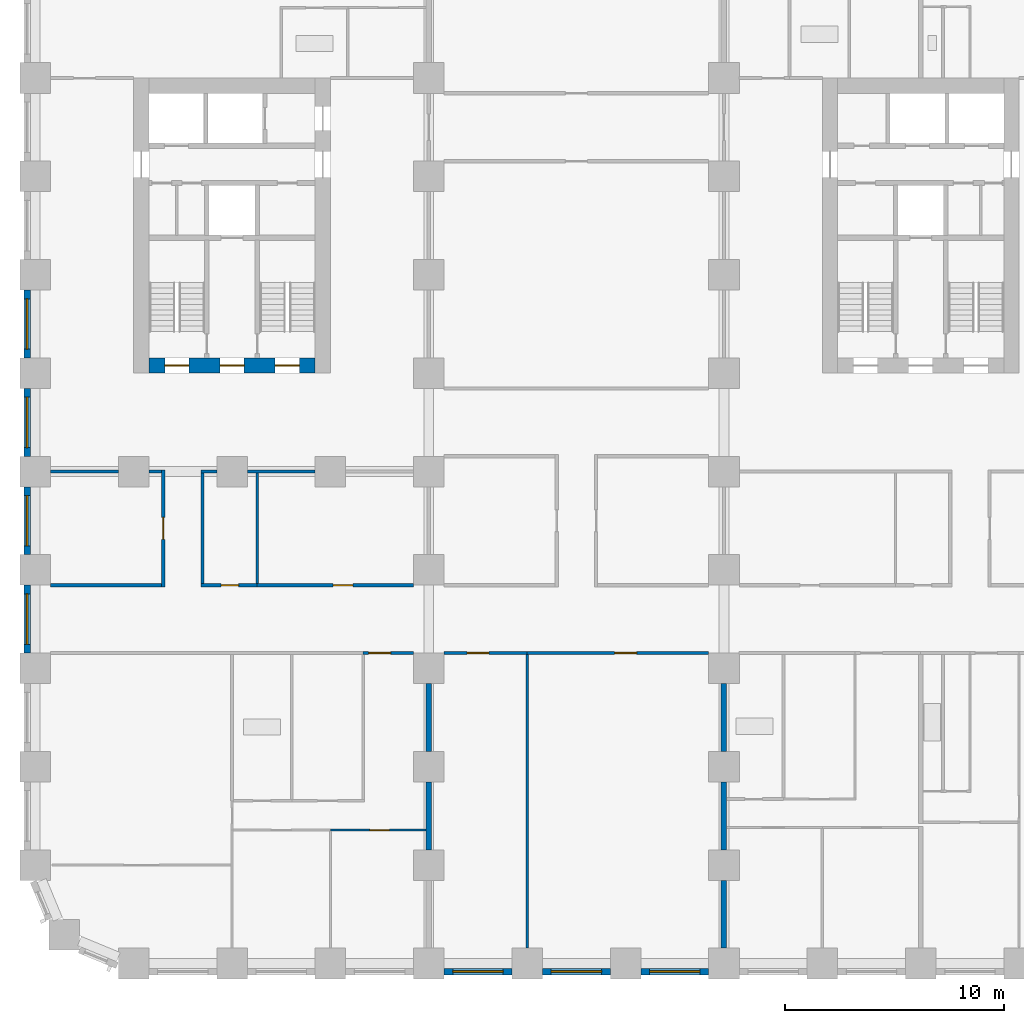
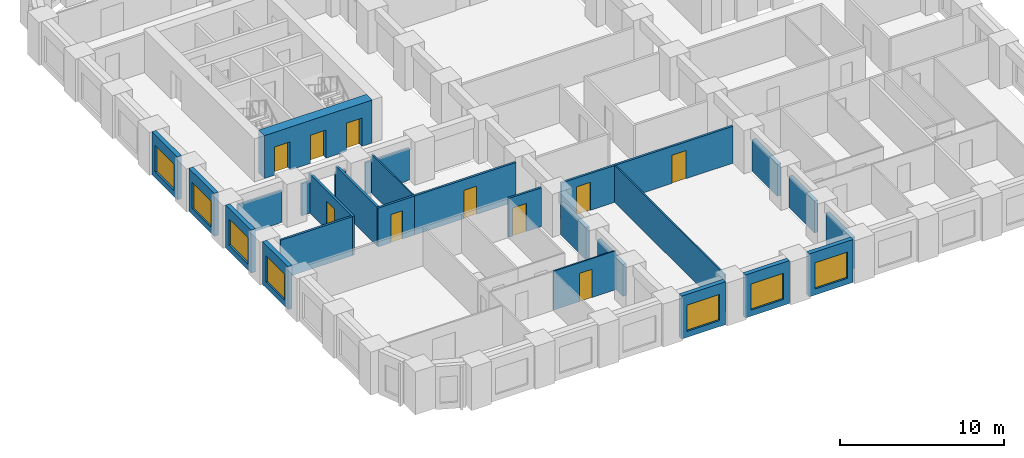
# One storey, part 3 of 12: 28 walls, 10 doors, 7 windows, 17 openings.
"""IFC4 building model written with IfcOpenShell, lengths in metres."""

from ifc_helpers import new_model, si_unit, direction, frame, frame_2d, origin, place, context, subcontext, project, spatial, rectangle, extrude, material, layer, layer_set, type_object, element, fill, save


model = new_model("IFC4")

# Units and contexts
model_context = context("Model", 3, precision=1e-05, world=origin(), true_north=direction((0.0, 1.0)))
body_context = subcontext(model_context, "Body", "Model", "MODEL_VIEW")
ifc_project = project(units=[si_unit("LENGTHUNIT", "METRE"), si_unit("AREAUNIT", "SQUARE_METRE"), si_unit("VOLUMEUNIT", "CUBIC_METRE"), si_unit("PLANEANGLEUNIT", "RADIAN"), si_unit("MASSUNIT", "GRAM", prefix="KILO")], contexts=[model_context])

# Site, building, storey
site_placement = place(None, origin())
site = spatial("IfcSite", under=ifc_project, at=site_placement, CompositionType="ELEMENT")
building_placement = place(site_placement, origin())
building = spatial("IfcBuilding", under=site, at=building_placement, Name="Girih Gate Residences", CompositionType="ELEMENT")
storey_placement = place(building_placement, frame((0.0, 0.0, 68.800048828125)))
storey = spatial("IfcBuildingStorey", under=building, at=storey_placement, Name="L18", CompositionType="ELEMENT", Elevation=68.800048828125)

# Walls
ifc_material_1 = material(Name="Gypsum board on steel studs", Category="steel")
ifc_layer_1 = layer(ifc_material_1, 0.25)
ifc_layer_set_1 = layer_set([ifc_layer_1], Name="Acoustic separating wall 250 mm")
wall_type_1 = type_object("IfcWallType", Name="Acoustic separating wall 250 mm", PredefinedType="PARTITIONING", material=ifc_layer_set_1)
for number, where, z_axis, x_axis, name in (
    (1, (18.0, 5.199951171875, 0.0), (0.0, 0.0, 1.0), (0.0, 1.0, 0.0), "L18 partition"),
    (2, (18.0, 9.699951171875, 0.0), (0.0, 0.0, 1.0), (0.0, 1.0, 0.0), "L18 partition"),
    (3, (31.5, 9.699951171875, 0.0), (0.0, 0.0, 1.0), (0.0, 1.0, 0.0), "L18 partition"),
    (4, (31.5, 0.699951171875, 0.0), (0.0, 0.0, 1.0), (0.0, 1.0, 0.0), "L18 partition"),
    (5, (31.5, 5.199951171875, 0.0), (0.0, 0.0, 1.0), (0.0, 1.0, 0.0), "L18 partition"),
):
    element("IfcWall", number, at=place(storey_placement, frame(where, z_axis=z_axis, x_axis=x_axis)), inside=storey, type_object=wall_type_1, Name=name, PredefinedType="PARTITIONING", context=body_context, shape_type="SweptSolid", body=[
        extrude(rectangle(XDim=3.10009765625, YDim=0.25, at=frame_2d((1.550048828125, 0.0))), origin(), (0.0, 0.0, 1.0), 2.3798828125),
    ])

# Wall, opening, door
ifc_layer_2 = layer(ifc_material_1, 0.14990234375)
ifc_layer_set_2 = layer_set([ifc_layer_2], Name="Compartment wall 150 mm")
wall_type_2 = type_object("IfcWallType", Name="Compartment wall 150 mm", PredefinedType="PARTITIONING", material=ifc_layer_set_2)
wall_1_placement = place(storey_placement, frame((17.300048828125, 14.199951171875, 0.0), z_axis=(0.0, 0.0, 1.0), x_axis=(-1.0, 0.0, 0.0)))
wall_1 = element("IfcWall", 6, at=wall_1_placement, inside=storey, type_object=wall_type_2, Name="L18 partition", PredefinedType="PARTITIONING", context=body_context, shape_type="SweptSolid", body=[
    extrude(rectangle(XDim=2.300048828125, YDim=0.14990234375, at=frame_2d((1.14990234375, 0.0))), origin(), (0.0, 0.0, 1.0), 2.89990234375),
])
opening_1_placement = place(wall_1_placement, frame((1.050048828125, 0.0, 0.0)))
opening_1 = element("IfcOpeningElement", 7, at=opening_1_placement, cuts=wall_1, Name="Opening A18-007", PredefinedType="OPENING", context=body_context, shape_type="SweptSolid", body=[
    extrude(rectangle(XDim=1.0, YDim=2.10009765625, at=frame_2d((0.5, 1.050048828125))), frame((0.0, 0.0849609375, 0.0), z_axis=(0.0, -1.0, 0.0), x_axis=(1.0, 0.0, 0.0)), (0.0, 0.0, 1.0), 0.169921875),
])
ifc_material_2 = material(Name="Timber, fire-rated core", Category="wood")
door_type_1 = type_object("IfcDoorType", Name="Flat entrance door 1000x2100 FD30S", OperationType="NOTDEFINED", PredefinedType="DOOR", material=ifc_material_2)
door_1_placement = place(opening_1_placement, origin())
door_1 = element("IfcDoor", 8, at=door_1_placement, inside=storey, type_object=door_type_1, Name="Door A18-007", OperationType="SINGLE_SWING_RIGHT", OverallHeight=2.10009765625, OverallWidth=1.0, PredefinedType="DOOR", context=body_context, shape_type="SweptSolid", body=[
    extrude(rectangle(XDim=1.0, YDim=2.10009765625, at=frame_2d((0.5, 1.050048828125))), frame((0.0, 0.02490234375, 0.0), z_axis=(0.0, -1.0, 0.0), x_axis=(1.0, 0.0, 0.0)), (0.0, 0.0, 1.0), 0.050048828125),
])
fill(opening_1, door_1)

wall_2_placement = place(storey_placement, frame((22.5, 14.199951171875, 0.0), z_axis=(0.0, 0.0, 1.0), x_axis=(-1.0, 0.0, 0.0)))
wall_2 = element("IfcWall", 9, at=wall_2_placement, inside=storey, type_object=wall_type_2, Name="L18 partition", PredefinedType="PARTITIONING", context=body_context, shape_type="SweptSolid", body=[
    extrude(rectangle(XDim=3.800048828125, YDim=0.14990234375, at=frame_2d((1.89990234375, 0.0))), origin(), (0.0, 0.0, 1.0), 2.75),
])
opening_2_placement = place(wall_2_placement, frame((1.75, 0.0, 0.0)))
opening_2 = element("IfcOpeningElement", 10, at=opening_2_placement, cuts=wall_2, Name="Opening A18-038", PredefinedType="OPENING", context=body_context, shape_type="SweptSolid", body=[
    extrude(rectangle(XDim=1.0, YDim=2.10009765625, at=frame_2d((0.5, 1.050048828125))), frame((0.0, 0.0849609375, 0.0), z_axis=(0.0, -1.0, 0.0), x_axis=(1.0, 0.0, 0.0)), (0.0, 0.0, 1.0), 0.169921875),
])
door_type_2 = type_object("IfcDoorType", Name="Amenity room door 1000x2100 FD30S", OperationType="NOTDEFINED", PredefinedType="DOOR", material=ifc_material_2)
door_2_placement = place(opening_2_placement, origin())
door_2 = element("IfcDoor", 11, at=door_2_placement, inside=storey, type_object=door_type_2, Name="Door A18-038", OperationType="SINGLE_SWING_RIGHT", OverallHeight=2.10009765625, OverallWidth=1.0, PredefinedType="DOOR", context=body_context, shape_type="SweptSolid", body=[
    extrude(rectangle(XDim=1.0, YDim=2.10009765625, at=frame_2d((0.5, 1.050048828125))), frame((0.0, 0.02490234375, 0.0), z_axis=(0.0, -1.0, 0.0), x_axis=(1.0, 0.0, 0.0)), (0.0, 0.0, 1.0), 0.050048828125),
])
fill(opening_2, door_2)

wall_3_placement = place(storey_placement, frame((30.800048828125, 14.199951171875, 0.0), z_axis=(0.0, 0.0, 1.0), x_axis=(-1.0, 0.0, 0.0)))
wall_3 = element("IfcWall", 12, at=wall_3_placement, inside=storey, type_object=wall_type_2, Name="L18 partition", PredefinedType="PARTITIONING", context=body_context, shape_type="SweptSolid", body=[
    extrude(rectangle(XDim=8.300048828125, YDim=0.14990234375, at=frame_2d((4.14990234375, 0.0))), origin(), (0.0, 0.0, 1.0), 2.75),
])
opening_3_placement = place(wall_3_placement, frame((3.300048828125, 0.0, 0.0)))
opening_3 = element("IfcOpeningElement", 13, at=opening_3_placement, cuts=wall_3, Name="Opening A18-039", PredefinedType="OPENING", context=body_context, shape_type="SweptSolid", body=[
    extrude(rectangle(XDim=1.0, YDim=2.10009765625, at=frame_2d((0.5, 1.050048828125))), frame((0.0, 0.0849609375, 0.0), z_axis=(0.0, -1.0, 0.0), x_axis=(1.0, 0.0, 0.0)), (0.0, 0.0, 1.0), 0.169921875),
])
door_3_placement = place(opening_3_placement, origin())
door_3 = element("IfcDoor", 14, at=door_3_placement, inside=storey, type_object=door_type_2, Name="Door A18-039", OperationType="SINGLE_SWING_LEFT", OverallHeight=2.10009765625, OverallWidth=1.0, PredefinedType="DOOR", context=body_context, shape_type="SweptSolid", body=[
    extrude(rectangle(XDim=1.0, YDim=2.10009765625, at=frame_2d((0.5, 1.050048828125))), frame((0.0, 0.02490234375, 0.0), z_axis=(0.0, -1.0, 0.0), x_axis=(1.0, 0.0, 0.0)), (0.0, 0.0, 1.0), 0.050048828125),
])
fill(opening_3, door_3)

wall_4_placement = place(storey_placement, frame((10.14990234375, 17.300048828125, 0.0), z_axis=(0.0, 0.0, 1.0), x_axis=(1.0, 0.0, 0.0)))
wall_4 = element("IfcWall", 15, at=wall_4_placement, inside=storey, type_object=wall_type_2, Name="L18 partition", PredefinedType="PARTITIONING", context=body_context, shape_type="SweptSolid", body=[
    extrude(rectangle(XDim=7.150146484375, YDim=0.14990234375, at=frame_2d((3.5751953125, 0.0))), origin(), (0.0, 0.0, 1.0), 2.89990234375),
])
opening_4_placement = place(wall_4_placement, frame((3.47509765625, 0.0, 0.0)))
opening_4 = element("IfcOpeningElement", 16, at=opening_4_placement, cuts=wall_4, Name="Opening A18-043", PredefinedType="OPENING", context=body_context, shape_type="SweptSolid", body=[
    extrude(rectangle(XDim=0.89990234375, YDim=2.10009765625, at=frame_2d((0.449951171875, 1.050048828125))), frame((0.0, 0.0849609375, 0.0), z_axis=(0.0, -1.0, 0.0), x_axis=(1.0, 0.0, 0.0)), (0.0, 0.0, 1.0), 0.169921875),
])
ifc_material_3 = material(Name="Timber", Category="wood")
door_type_3 = type_object("IfcDoorType", Name="Service room door 900x2100", OperationType="NOTDEFINED", PredefinedType="DOOR", material=ifc_material_3)
door_4_placement = place(opening_4_placement, origin())
door_4 = element("IfcDoor", 17, at=door_4_placement, inside=storey, type_object=door_type_3, Name="Door A18-043", OperationType="SINGLE_SWING_RIGHT", OverallHeight=2.10009765625, OverallWidth=0.89990234375, PredefinedType="DOOR", context=body_context, shape_type="SweptSolid", body=[
    extrude(rectangle(XDim=0.89990234375, YDim=2.10009765625, at=frame_2d((0.449951171875, 1.050048828125))), frame((0.0, 0.02490234375, 0.0), z_axis=(0.0, -1.0, 0.0), x_axis=(1.0, 0.0, 0.0)), (0.0, 0.0, 1.0), 0.050048828125),
])
fill(opening_4, door_4)

wall_5_placement = place(storey_placement, frame((7.574951171875, 17.300048828125, 0.0), z_axis=(0.0, 0.0, 1.0), x_axis=(1.0, 0.0, 0.0)))
wall_5 = element("IfcWall", 18, at=wall_5_placement, inside=storey, type_object=wall_type_2, Name="L18 partition", PredefinedType="PARTITIONING", context=body_context, shape_type="SweptSolid", body=[
    extrude(rectangle(XDim=2.574951171875, YDim=0.14990234375, at=frame_2d((1.28759765625, 0.0))), origin(), (0.0, 0.0, 1.0), 2.89990234375),
])
opening_5_placement = place(wall_5_placement, frame((0.925048828125, 0.0, 0.0)))
opening_5 = element("IfcOpeningElement", 19, at=opening_5_placement, cuts=wall_5, Name="Opening A18-045", PredefinedType="OPENING", context=body_context, shape_type="SweptSolid", body=[
    extrude(rectangle(XDim=0.800048828125, YDim=2.10009765625, at=frame_2d((0.39990234375, 1.050048828125))), frame((0.0, 0.0849609375, 0.0), z_axis=(0.0, -1.0, 0.0), x_axis=(1.0, 0.0, 0.0)), (0.0, 0.0, 1.0), 0.169921875),
])
door_type_4 = type_object("IfcDoorType", Name="Bathroom door 800x2100", OperationType="NOTDEFINED", PredefinedType="DOOR", material=ifc_material_3)
door_5_placement = place(opening_5_placement, origin())
door_5 = element("IfcDoor", 20, at=door_5_placement, inside=storey, type_object=door_type_4, Name="Door A18-045", OperationType="SINGLE_SWING_RIGHT", OverallHeight=2.10009765625, OverallWidth=0.800048828125, PredefinedType="DOOR", context=body_context, shape_type="SweptSolid", body=[
    extrude(rectangle(XDim=0.800048828125, YDim=2.10009765625, at=frame_2d((0.39990234375, 1.050048828125))), frame((0.0, 0.02490234375, 0.0), z_axis=(0.0, -1.0, 0.0), x_axis=(1.0, 0.0, 0.0)), (0.0, 0.0, 1.0), 0.050048828125),
])
fill(opening_5, door_5)

# Walls
wall_6_placement = place(storey_placement, frame((0.699951171875, 17.300048828125, 0.0), z_axis=(0.0, 0.0, 1.0), x_axis=(1.0, 0.0, 0.0)))
element("IfcWall", 21, at=wall_6_placement, inside=storey, type_object=wall_type_2, Name="L18 partition", PredefinedType="PARTITIONING", context=body_context, shape_type="SweptSolid", body=[
    extrude(rectangle(XDim=5.074951171875, YDim=0.14990234375, at=frame_2d((2.53759765625, 0.0))), origin(), (0.0, 0.0, 1.0), 2.89990234375),
])
wall_7_placement = place(storey_placement, frame((9.699951171875, 22.5, 0.0), z_axis=(0.0, 0.0, 1.0), x_axis=(1.0, 0.0, 0.0)))
element("IfcWall", 22, at=wall_7_placement, inside=storey, type_object=wall_type_2, Name="L18 partition", PredefinedType="PARTITIONING", context=body_context, shape_type="SweptSolid", body=[
    extrude(rectangle(XDim=3.10009765625, YDim=0.14990234375, at=frame_2d((1.550048828125, 0.0))), origin(), (0.0, 0.0, 1.0), 2.3798828125),
])
wall_8_placement = place(storey_placement, frame((7.574951171875, 22.5, 0.0), z_axis=(0.0, 0.0, 1.0), x_axis=(1.0, 0.0, 0.0)))
element("IfcWall", 23, at=wall_8_placement, inside=storey, type_object=wall_type_2, Name="L18 partition", PredefinedType="PARTITIONING", context=body_context, shape_type="SweptSolid", body=[
    extrude(rectangle(XDim=0.72509765625, YDim=0.14990234375, at=frame_2d((0.362548828125, 0.0))), origin(), (0.0, 0.0, 1.0), 2.3798828125),
])
wall_9_placement = place(storey_placement, frame((5.199951171875, 22.5, 0.0), z_axis=(0.0, 0.0, 1.0), x_axis=(1.0, 0.0, 0.0)))
element("IfcWall", 24, at=wall_9_placement, inside=storey, type_object=wall_type_2, Name="L18 partition", PredefinedType="PARTITIONING", context=body_context, shape_type="SweptSolid", body=[
    extrude(rectangle(XDim=0.574951171875, YDim=0.14990234375, at=frame_2d((0.28759765625, 0.0))), origin(), (0.0, 0.0, 1.0), 2.3798828125),
])
wall_10_placement = place(storey_placement, frame((0.699951171875, 22.5, 0.0), z_axis=(0.0, 0.0, 1.0), x_axis=(1.0, 0.0, 0.0)))
element("IfcWall", 25, at=wall_10_placement, inside=storey, type_object=wall_type_2, Name="L18 partition", PredefinedType="PARTITIONING", context=body_context, shape_type="SweptSolid", body=[
    extrude(rectangle(XDim=3.10009765625, YDim=0.14990234375, at=frame_2d((1.550048828125, 0.0))), origin(), (0.0, 0.0, 1.0), 2.3798828125),
])
wall_11_placement = place(storey_placement, frame((7.64990234375, 17.375, 0.0), z_axis=(0.0, 0.0, 1.0), x_axis=(0.0, 1.0, 0.0)))
element("IfcWall", 26, at=wall_11_placement, inside=storey, type_object=wall_type_2, Name="L18 partition", PredefinedType="PARTITIONING", context=body_context, shape_type="SweptSolid", body=[
    extrude(rectangle(XDim=5.050048828125, YDim=0.14990234375, at=frame_2d((2.52490234375, 0.0))), origin(), (0.0, 0.0, 1.0), 2.89990234375),
])

# Wall, opening, door
wall_12_placement = place(storey_placement, frame((5.85009765625, 17.22509765625, 0.0), z_axis=(0.0, 0.0, 1.0), x_axis=(0.0, 1.0, 0.0)))
wall_12 = element("IfcWall", 27, at=wall_12_placement, inside=storey, type_object=wall_type_2, Name="L18 partition", PredefinedType="PARTITIONING", context=body_context, shape_type="SweptSolid", body=[
    extrude(rectangle(XDim=5.349853515625, YDim=0.14990234375, at=frame_2d((2.6748046875, 0.0))), origin(), (0.0, 0.0, 1.0), 2.89990234375),
])
opening_6_placement = place(wall_12_placement, frame((2.175048828125, 0.0, 0.0)))
opening_6 = element("IfcOpeningElement", 28, at=opening_6_placement, cuts=wall_12, Name="Opening A18-047", PredefinedType="OPENING", context=body_context, shape_type="SweptSolid", body=[
    extrude(rectangle(XDim=1.0, YDim=2.10009765625, at=frame_2d((0.5, 1.050048828125))), frame((0.0, 0.0849609375, 0.0), z_axis=(0.0, -1.0, 0.0), x_axis=(1.0, 0.0, 0.0)), (0.0, 0.0, 1.0), 0.169921875),
])
door_6_placement = place(opening_6_placement, origin())
door_6 = element("IfcDoor", 29, at=door_6_placement, inside=storey, type_object=door_type_2, Name="Door A18-047", OperationType="SINGLE_SWING_LEFT", OverallHeight=2.10009765625, OverallWidth=1.0, PredefinedType="DOOR", context=body_context, shape_type="SweptSolid", body=[
    extrude(rectangle(XDim=1.0, YDim=2.10009765625, at=frame_2d((0.5, 1.050048828125))), frame((0.0, 0.02490234375, 0.0), z_axis=(0.0, -1.0, 0.0), x_axis=(1.0, 0.0, 0.0)), (0.0, 0.0, 1.0), 0.050048828125),
])
fill(opening_6, door_6)

# Wall, openings, doors
ifc_material_4 = material(Name="Concrete C60/75", Category="concrete")
ifc_layer_3 = layer(ifc_material_4, 0.699951171875)
ifc_layer_set_3 = layer_set([ifc_layer_3], Name="Core wall RC 700 Concrete C60/75")
wall_type_3 = type_object("IfcWallType", Name="Core wall RC 700 Concrete C60/75", PredefinedType="SOLIDWALL", material=ifc_layer_set_3)
wall_13_placement = place(storey_placement, frame((5.199951171875, 27.35009765625, 0.0), z_axis=(0.0, 0.0, 1.0), x_axis=(1.0, 0.0, 0.0)))
wall_13 = element("IfcWall", 30, at=wall_13_placement, inside=storey, type_object=wall_type_3, Name="Core wall W-S L18", PredefinedType="SOLIDWALL", context=body_context, shape_type="SweptSolid", body=[
    extrude(rectangle(XDim=7.60009765625, YDim=0.699951171875, at=frame_2d((3.800048828125, 0.0))), origin(), (0.0, 0.0, 1.0), 3.199951171875),
])
opening_7_placement = place(wall_13_placement, frame((0.72509765625, 0.0, 0.0)))
opening_7 = element("IfcOpeningElement", 31, at=opening_7_placement, cuts=wall_13, Name="Opening D-L18-W-009", PredefinedType="OPENING", context=body_context, shape_type="SweptSolid", body=[
    extrude(rectangle(XDim=1.10009765625, YDim=2.10009765625, at=frame_2d((0.550048828125, 1.050048828125))), frame((0.0, 0.35986328125, 0.0), z_axis=(0.0, -1.0, 0.0), x_axis=(1.0, 0.0, 0.0)), (0.0, 0.0, 1.0), 0.719970703125),
])
opening_8_placement = place(wall_13_placement, frame((3.25, 0.0, 0.0)))
opening_8 = element("IfcOpeningElement", 32, at=opening_8_placement, cuts=wall_13, Name="Opening D-L18-W-010", PredefinedType="OPENING", context=body_context, shape_type="SweptSolid", body=[
    extrude(rectangle(XDim=1.10009765625, YDim=2.10009765625, at=frame_2d((0.550048828125, 1.050048828125))), frame((0.0, 0.35986328125, 0.0), z_axis=(0.0, -1.0, 0.0), x_axis=(1.0, 0.0, 0.0)), (0.0, 0.0, 1.0), 0.719970703125),
])
opening_9_placement = place(wall_13_placement, frame((5.77490234375, 0.0, 0.0)))
opening_9 = element("IfcOpeningElement", 33, at=opening_9_placement, cuts=wall_13, Name="Opening D-L18-W-011", PredefinedType="OPENING", context=body_context, shape_type="SweptSolid", body=[
    extrude(rectangle(XDim=1.10009765625, YDim=2.10009765625, at=frame_2d((0.550048828125, 1.050048828125))), frame((0.0, 0.35986328125, 0.0), z_axis=(0.0, -1.0, 0.0), x_axis=(1.0, 0.0, 0.0)), (0.0, 0.0, 1.0), 0.719970703125),
])
ifc_material_5 = material(Name="Painted steel, fire-resisting", Category="steel")
door_type_5 = type_object("IfcDoorType", Name="Fire door 1100x2100", OperationType="SINGLE_SWING_LEFT", PredefinedType="DOOR", material=ifc_material_5)
door_7_placement = place(opening_7_placement, origin())
door_7 = element("IfcDoor", 34, at=door_7_placement, inside=storey, type_object=door_type_5, Name="L18 W core door sta-out", OperationType="SINGLE_SWING_LEFT", OverallHeight=2.10009765625, OverallWidth=1.10009765625, PredefinedType="DOOR", context=body_context, shape_type="SweptSolid", body=[
    extrude(rectangle(XDim=1.10009765625, YDim=2.10009765625, at=frame_2d((0.550048828125, 1.050048828125))), frame((0.0, 0.02490234375, 0.0), z_axis=(0.0, -1.0, 0.0), x_axis=(1.0, 0.0, 0.0)), (0.0, 0.0, 1.0), 0.050048828125),
])
fill(opening_7, door_7)
door_8_placement = place(opening_8_placement, origin())
door_8 = element("IfcDoor", 35, at=door_8_placement, inside=storey, type_object=door_type_5, Name="L18 W core door ffl-out", OperationType="SINGLE_SWING_LEFT", OverallHeight=2.10009765625, OverallWidth=1.10009765625, PredefinedType="DOOR", context=body_context, shape_type="SweptSolid", body=[
    extrude(rectangle(XDim=1.10009765625, YDim=2.10009765625, at=frame_2d((0.550048828125, 1.050048828125))), frame((0.0, 0.02490234375, 0.0), z_axis=(0.0, -1.0, 0.0), x_axis=(1.0, 0.0, 0.0)), (0.0, 0.0, 1.0), 0.050048828125),
])
fill(opening_8, door_8)
door_9_placement = place(opening_9_placement, origin())
door_9 = element("IfcDoor", 36, at=door_9_placement, inside=storey, type_object=door_type_5, Name="L18 W core door stb-out", OperationType="SINGLE_SWING_LEFT", OverallHeight=2.10009765625, OverallWidth=1.10009765625, PredefinedType="DOOR", context=body_context, shape_type="SweptSolid", body=[
    extrude(rectangle(XDim=1.10009765625, YDim=2.10009765625, at=frame_2d((0.550048828125, 1.050048828125))), frame((0.0, 0.02490234375, 0.0), z_axis=(0.0, -1.0, 0.0), x_axis=(1.0, 0.0, 0.0)), (0.0, 0.0, 1.0), 0.050048828125),
])
fill(opening_9, door_9)

# Wall, opening, door
ifc_layer_4 = layer(ifc_material_1, 0.10009765625)
ifc_layer_set_4 = layer_set([ifc_layer_4], Name="Partition 100 mm")
wall_type_4 = type_object("IfcWallType", Name="Partition 100 mm", PredefinedType="PARTITIONING", material=ifc_layer_set_4)
wall_14_placement = place(storey_placement, frame((17.875, 6.10009765625, 0.0), z_axis=(0.0, 0.0, 1.0), x_axis=(-1.0, 0.0, 0.0)))
wall_14 = element("IfcWall", 37, at=wall_14_placement, inside=storey, type_object=wall_type_4, Name="L18 partition", PredefinedType="PARTITIONING", context=body_context, shape_type="SweptSolid", body=[
    extrude(rectangle(XDim=4.375, YDim=0.10009765625, at=frame_2d((2.1875, 0.0))), origin(), (0.0, 0.0, 1.0), 2.89990234375),
])
opening_10_placement = place(wall_14_placement, frame((1.675048828125, 0.0, 0.0)))
opening_10 = element("IfcOpeningElement", 38, at=opening_10_placement, cuts=wall_14, Name="Opening A18-003", PredefinedType="OPENING", context=body_context, shape_type="SweptSolid", body=[
    extrude(rectangle(XDim=0.89990234375, YDim=2.10009765625, at=frame_2d((0.449951171875, 1.050048828125))), frame((0.0, 0.06005859375, 0.0), z_axis=(0.0, -1.0, 0.0), x_axis=(1.0, 0.0, 0.0)), (0.0, 0.0, 1.0), 0.1201171875),
])
door_type_6 = type_object("IfcDoorType", Name="Bedroom door 900x2100", OperationType="NOTDEFINED", PredefinedType="DOOR", material=ifc_material_3)
door_10_placement = place(opening_10_placement, origin())
door_10 = element("IfcDoor", 39, at=door_10_placement, inside=storey, type_object=door_type_6, Name="Door A18-003", OperationType="SINGLE_SWING_LEFT", OverallHeight=2.10009765625, OverallWidth=0.89990234375, PredefinedType="DOOR", context=body_context, shape_type="SweptSolid", body=[
    extrude(rectangle(XDim=0.89990234375, YDim=2.10009765625, at=frame_2d((0.449951171875, 1.050048828125))), frame((0.0, 0.02490234375, 0.0), z_axis=(0.0, -1.0, 0.0), x_axis=(1.0, 0.0, 0.0)), (0.0, 0.0, 1.0), 0.050048828125),
])
fill(opening_10, door_10)

# Walls
wall_15_placement = place(storey_placement, frame((22.5, 0.699951171875, 0.0), z_axis=(0.0, 0.0, 1.0), x_axis=(0.0, 1.0, 0.0)))
element("IfcWall", 40, at=wall_15_placement, inside=storey, type_object=wall_type_4, Name="L18 partition", PredefinedType="PARTITIONING", context=body_context, shape_type="SweptSolid", body=[
    extrude(rectangle(XDim=13.425048828125, YDim=0.10009765625, at=frame_2d((6.71240234375, 0.0))), origin(), (0.0, 0.0, 1.0), 2.75),
])
wall_16_placement = place(storey_placement, frame((10.14990234375, 17.375, 0.0), z_axis=(0.0, 0.0, 1.0), x_axis=(0.0, 1.0, 0.0)))
element("IfcWall", 41, at=wall_16_placement, inside=storey, type_object=wall_type_4, Name="L18 partition", PredefinedType="PARTITIONING", context=body_context, shape_type="SweptSolid", body=[
    extrude(rectangle(XDim=5.050048828125, YDim=0.10009765625, at=frame_2d((2.52490234375, 0.0))), origin(), (0.0, 0.0, 1.0), 2.89990234375),
])

# Wall, opening, window
ifc_material_6 = material(Name="Precast concrete C50/60", Category="concrete")
ifc_layer_5 = layer(ifc_material_6, 0.080078125, Name="Outer leaf")
ifc_material_7 = material(Name="Rigid PIR insulation")
ifc_layer_6 = layer(ifc_material_7, 0.14990234375, Name="Insulation")
ifc_material_8 = material(Name="Precast concrete C40/50", Category="concrete")
ifc_layer_7 = layer(ifc_material_8, 0.070068359375, Name="Inner leaf")
ifc_layer_set_5 = layer_set([ifc_layer_5, ifc_layer_6, ifc_layer_7], Name="Precast concrete C50/60 external wall 300")
wall_type_5 = type_object("IfcWallType", Name="Precast concrete C50/60 external wall 300", PredefinedType="SOLIDWALL", material=ifc_layer_set_5)
wall_17_placement = place(storey_placement, frame((21.800048828125, -0.375, 0.0), z_axis=(0.0, 0.0, 1.0), x_axis=(-1.0, 0.0, 0.0)))
wall_17 = element("IfcWall", 42, at=wall_17_placement, inside=storey, type_object=wall_type_5, Name="External wall S0045_0000.3", PredefinedType="SOLIDWALL", context=body_context, shape_type="SweptSolid", body=[
    extrude(rectangle(XDim=3.10009765625, YDim=0.300048828125, at=frame_2d((1.550048828125, 0.0))), origin(), (0.0, 0.0, 1.0), 3.199951171875),
])
opening_11_placement = place(wall_17_placement, frame((0.39990234375, 0.0, 0.449951171875)))
opening_11 = element("IfcOpeningElement", 43, at=opening_11_placement, cuts=wall_17, Name="Opening W-1", PredefinedType="OPENING", context=body_context, shape_type="SweptSolid", body=[
    extrude(rectangle(XDim=2.300048828125, YDim=1.949951171875, at=frame_2d((1.14990234375, 0.97509765625))), frame((0.0, 0.159912109375, 0.0), z_axis=(0.0, -1.0, 0.0), x_axis=(1.0, 0.0, 0.0)), (0.0, 0.0, 1.0), 0.320068359375),
])
ifc_material_9 = material(Name="Double glazing in aluminium frame", Category="aluminium")
window_type = type_object("IfcWindowType", Name="Window W-1 2300x1950", PartitioningType="SINGLE_PANEL", PredefinedType="WINDOW", material=ifc_material_9)
window_1_placement = place(opening_11_placement, origin())
window_1 = element("IfcWindow", 44, at=window_1_placement, inside=storey, type_object=window_type, Name="Window W-1 S0045_0000.3", OverallHeight=1.949951171875, OverallWidth=2.300048828125, PartitioningType="SINGLE_PANEL", PredefinedType="WINDOW", context=body_context, shape_type="SweptSolid", body=[
    extrude(rectangle(XDim=2.300048828125, YDim=1.949951171875, at=frame_2d((1.14990234375, 0.97509765625))), frame((0.0, 0.030029296875, 0.0), z_axis=(0.0, -1.0, 0.0), x_axis=(1.0, 0.0, 0.0)), (0.0, 0.0, 1.0), 0.06005859375),
])
fill(opening_11, window_1)

wall_18_placement = place(storey_placement, frame((26.300048828125, -0.375, 0.0), z_axis=(0.0, 0.0, 1.0), x_axis=(-1.0, 0.0, 0.0)))
wall_18 = element("IfcWall", 45, at=wall_18_placement, inside=storey, type_object=wall_type_5, Name="External wall S0045_0000.4", PredefinedType="SOLIDWALL", context=body_context, shape_type="SweptSolid", body=[
    extrude(rectangle(XDim=3.10009765625, YDim=0.300048828125, at=frame_2d((1.550048828125, 0.0))), origin(), (0.0, 0.0, 1.0), 3.199951171875),
])
opening_12_placement = place(wall_18_placement, frame((0.39990234375, 0.0, 0.449951171875)))
opening_12 = element("IfcOpeningElement", 46, at=opening_12_placement, cuts=wall_18, Name="Opening W-1", PredefinedType="OPENING", context=body_context, shape_type="SweptSolid", body=[
    extrude(rectangle(XDim=2.300048828125, YDim=1.949951171875, at=frame_2d((1.14990234375, 0.97509765625))), frame((0.0, 0.159912109375, 0.0), z_axis=(0.0, -1.0, 0.0), x_axis=(1.0, 0.0, 0.0)), (0.0, 0.0, 1.0), 0.320068359375),
])
window_2_placement = place(opening_12_placement, origin())
window_2 = element("IfcWindow", 47, at=window_2_placement, inside=storey, type_object=window_type, Name="Window W-1 S0045_0000.4", OverallHeight=1.949951171875, OverallWidth=2.300048828125, PartitioningType="SINGLE_PANEL", PredefinedType="WINDOW", context=body_context, shape_type="SweptSolid", body=[
    extrude(rectangle(XDim=2.300048828125, YDim=1.949951171875, at=frame_2d((1.14990234375, 0.97509765625))), frame((0.0, 0.030029296875, 0.0), z_axis=(0.0, -1.0, 0.0), x_axis=(1.0, 0.0, 0.0)), (0.0, 0.0, 1.0), 0.06005859375),
])
fill(opening_12, window_2)

wall_19_placement = place(storey_placement, frame((30.800048828125, -0.375, 0.0), z_axis=(0.0, 0.0, 1.0), x_axis=(-1.0, 0.0, 0.0)))
wall_19 = element("IfcWall", 48, at=wall_19_placement, inside=storey, type_object=wall_type_5, Name="External wall S0045_0000.5", PredefinedType="SOLIDWALL", context=body_context, shape_type="SweptSolid", body=[
    extrude(rectangle(XDim=3.10009765625, YDim=0.300048828125, at=frame_2d((1.550048828125, 0.0))), origin(), (0.0, 0.0, 1.0), 3.199951171875),
])
opening_13_placement = place(wall_19_placement, frame((0.39990234375, 0.0, 0.449951171875)))
opening_13 = element("IfcOpeningElement", 49, at=opening_13_placement, cuts=wall_19, Name="Opening W-1", PredefinedType="OPENING", context=body_context, shape_type="SweptSolid", body=[
    extrude(rectangle(XDim=2.300048828125, YDim=1.949951171875, at=frame_2d((1.14990234375, 0.97509765625))), frame((0.0, 0.159912109375, 0.0), z_axis=(0.0, -1.0, 0.0), x_axis=(1.0, 0.0, 0.0)), (0.0, 0.0, 1.0), 0.320068359375),
])
window_3_placement = place(opening_13_placement, origin())
window_3 = element("IfcWindow", 50, at=window_3_placement, inside=storey, type_object=window_type, Name="Window W-1 S0045_0000.5", OverallHeight=1.949951171875, OverallWidth=2.300048828125, PartitioningType="SINGLE_PANEL", PredefinedType="WINDOW", context=body_context, shape_type="SweptSolid", body=[
    extrude(rectangle(XDim=2.300048828125, YDim=1.949951171875, at=frame_2d((1.14990234375, 0.97509765625))), frame((0.0, 0.030029296875, 0.0), z_axis=(0.0, -1.0, 0.0), x_axis=(1.0, 0.0, 0.0)), (0.0, 0.0, 1.0), 0.06005859375),
])
fill(opening_13, window_3)

wall_20_placement = place(storey_placement, frame((-0.375, 27.699951171875, 0.0), z_axis=(0.0, 0.0, 1.0), x_axis=(0.0, 1.0, 0.0)))
wall_20 = element("IfcWall", 51, at=wall_20_placement, inside=storey, type_object=wall_type_5, Name="External wall W0000_0450.3", PredefinedType="SOLIDWALL", context=body_context, shape_type="SweptSolid", body=[
    extrude(rectangle(XDim=3.10009765625, YDim=0.300048828125, at=frame_2d((1.550048828125, 0.0))), origin(), (0.0, 0.0, 1.0), 3.199951171875),
])
opening_14_placement = place(wall_20_placement, frame((0.39990234375, 0.0, 0.449951171875)))
opening_14 = element("IfcOpeningElement", 52, at=opening_14_placement, cuts=wall_20, Name="Opening W-1", PredefinedType="OPENING", context=body_context, shape_type="SweptSolid", body=[
    extrude(rectangle(XDim=2.300048828125, YDim=1.949951171875, at=frame_2d((1.14990234375, 0.97509765625))), frame((0.0, 0.159912109375, 0.0), z_axis=(0.0, -1.0, 0.0), x_axis=(1.0, 0.0, 0.0)), (0.0, 0.0, 1.0), 0.320068359375),
])
window_4_placement = place(opening_14_placement, origin())
window_4 = element("IfcWindow", 53, at=window_4_placement, inside=storey, type_object=window_type, Name="Window W-1 W0000_0450.3", OverallHeight=1.949951171875, OverallWidth=2.300048828125, PartitioningType="SINGLE_PANEL", PredefinedType="WINDOW", context=body_context, shape_type="SweptSolid", body=[
    extrude(rectangle(XDim=2.300048828125, YDim=1.949951171875, at=frame_2d((1.14990234375, 0.97509765625))), frame((0.0, 0.030029296875, 0.0), z_axis=(0.0, -1.0, 0.0), x_axis=(1.0, 0.0, 0.0)), (0.0, 0.0, 1.0), 0.06005859375),
])
fill(opening_14, window_4)

wall_21_placement = place(storey_placement, frame((-0.375, 23.199951171875, 0.0), z_axis=(0.0, 0.0, 1.0), x_axis=(0.0, 1.0, 0.0)))
wall_21 = element("IfcWall", 54, at=wall_21_placement, inside=storey, type_object=wall_type_5, Name="External wall W0000_0450.4", PredefinedType="SOLIDWALL", context=body_context, shape_type="SweptSolid", body=[
    extrude(rectangle(XDim=3.10009765625, YDim=0.300048828125, at=frame_2d((1.550048828125, 0.0))), origin(), (0.0, 0.0, 1.0), 3.199951171875),
])
opening_15_placement = place(wall_21_placement, frame((0.39990234375, 0.0, 0.449951171875)))
opening_15 = element("IfcOpeningElement", 55, at=opening_15_placement, cuts=wall_21, Name="Opening W-1", PredefinedType="OPENING", context=body_context, shape_type="SweptSolid", body=[
    extrude(rectangle(XDim=2.300048828125, YDim=1.949951171875, at=frame_2d((1.14990234375, 0.97509765625))), frame((0.0, 0.159912109375, 0.0), z_axis=(0.0, -1.0, 0.0), x_axis=(1.0, 0.0, 0.0)), (0.0, 0.0, 1.0), 0.320068359375),
])
window_5_placement = place(opening_15_placement, origin())
window_5 = element("IfcWindow", 56, at=window_5_placement, inside=storey, type_object=window_type, Name="Window W-1 W0000_0450.4", OverallHeight=1.949951171875, OverallWidth=2.300048828125, PartitioningType="SINGLE_PANEL", PredefinedType="WINDOW", context=body_context, shape_type="SweptSolid", body=[
    extrude(rectangle(XDim=2.300048828125, YDim=1.949951171875, at=frame_2d((1.14990234375, 0.97509765625))), frame((0.0, 0.030029296875, 0.0), z_axis=(0.0, -1.0, 0.0), x_axis=(1.0, 0.0, 0.0)), (0.0, 0.0, 1.0), 0.06005859375),
])
fill(opening_15, window_5)

wall_22_placement = place(storey_placement, frame((-0.375, 18.699951171875, 0.0), z_axis=(0.0, 0.0, 1.0), x_axis=(0.0, 1.0, 0.0)))
wall_22 = element("IfcWall", 57, at=wall_22_placement, inside=storey, type_object=wall_type_5, Name="External wall W0000_0450.5", PredefinedType="SOLIDWALL", context=body_context, shape_type="SweptSolid", body=[
    extrude(rectangle(XDim=3.10009765625, YDim=0.300048828125, at=frame_2d((1.550048828125, 0.0))), origin(), (0.0, 0.0, 1.0), 3.199951171875),
])
opening_16_placement = place(wall_22_placement, frame((0.39990234375, 0.0, 0.449951171875)))
opening_16 = element("IfcOpeningElement", 58, at=opening_16_placement, cuts=wall_22, Name="Opening W-1", PredefinedType="OPENING", context=body_context, shape_type="SweptSolid", body=[
    extrude(rectangle(XDim=2.300048828125, YDim=1.949951171875, at=frame_2d((1.14990234375, 0.97509765625))), frame((0.0, 0.159912109375, 0.0), z_axis=(0.0, -1.0, 0.0), x_axis=(1.0, 0.0, 0.0)), (0.0, 0.0, 1.0), 0.320068359375),
])
window_6_placement = place(opening_16_placement, origin())
window_6 = element("IfcWindow", 59, at=window_6_placement, inside=storey, type_object=window_type, Name="Window W-1 W0000_0450.5", OverallHeight=1.949951171875, OverallWidth=2.300048828125, PartitioningType="SINGLE_PANEL", PredefinedType="WINDOW", context=body_context, shape_type="SweptSolid", body=[
    extrude(rectangle(XDim=2.300048828125, YDim=1.949951171875, at=frame_2d((1.14990234375, 0.97509765625))), frame((0.0, 0.030029296875, 0.0), z_axis=(0.0, -1.0, 0.0), x_axis=(1.0, 0.0, 0.0)), (0.0, 0.0, 1.0), 0.06005859375),
])
fill(opening_16, window_6)

wall_23_placement = place(storey_placement, frame((-0.375, 14.199951171875, 0.0), z_axis=(0.0, 0.0, 1.0), x_axis=(0.0, 1.0, 0.0)))
wall_23 = element("IfcWall", 60, at=wall_23_placement, inside=storey, type_object=wall_type_5, Name="External wall W0000_0450.6", PredefinedType="SOLIDWALL", context=body_context, shape_type="SweptSolid", body=[
    extrude(rectangle(XDim=3.10009765625, YDim=0.300048828125, at=frame_2d((1.550048828125, 0.0))), origin(), (0.0, 0.0, 1.0), 3.199951171875),
])
opening_17_placement = place(wall_23_placement, frame((0.39990234375, 0.0, 0.449951171875)))
opening_17 = element("IfcOpeningElement", 61, at=opening_17_placement, cuts=wall_23, Name="Opening W-1", PredefinedType="OPENING", context=body_context, shape_type="SweptSolid", body=[
    extrude(rectangle(XDim=2.300048828125, YDim=1.949951171875, at=frame_2d((1.14990234375, 0.97509765625))), frame((0.0, 0.159912109375, 0.0), z_axis=(0.0, -1.0, 0.0), x_axis=(1.0, 0.0, 0.0)), (0.0, 0.0, 1.0), 0.320068359375),
])
window_7_placement = place(opening_17_placement, origin())
window_7 = element("IfcWindow", 62, at=window_7_placement, inside=storey, type_object=window_type, Name="Window W-1 W0000_0450.6", OverallHeight=1.949951171875, OverallWidth=2.300048828125, PartitioningType="SINGLE_PANEL", PredefinedType="WINDOW", context=body_context, shape_type="SweptSolid", body=[
    extrude(rectangle(XDim=2.300048828125, YDim=1.949951171875, at=frame_2d((1.14990234375, 0.97509765625))), frame((0.0, 0.030029296875, 0.0), z_axis=(0.0, -1.0, 0.0), x_axis=(1.0, 0.0, 0.0)), (0.0, 0.0, 1.0), 0.06005859375),
])
fill(opening_17, window_7)

save(model, "model.ifc")
